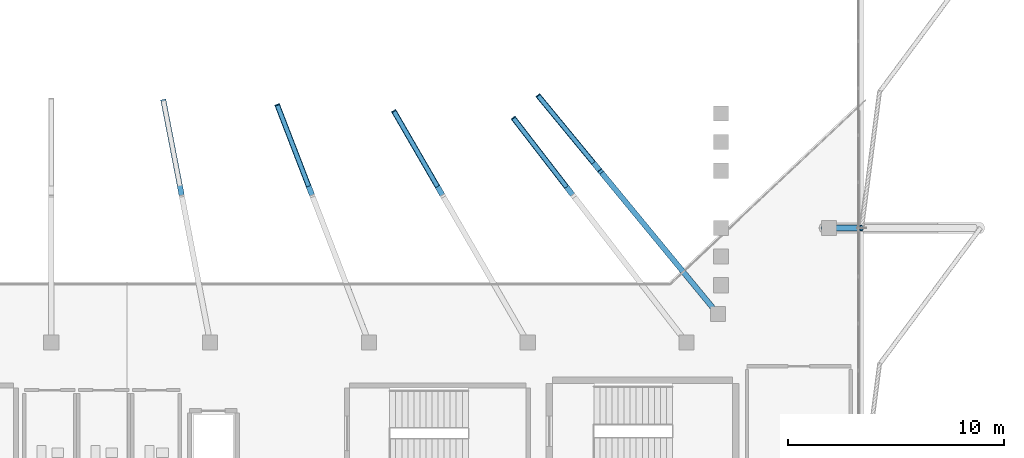
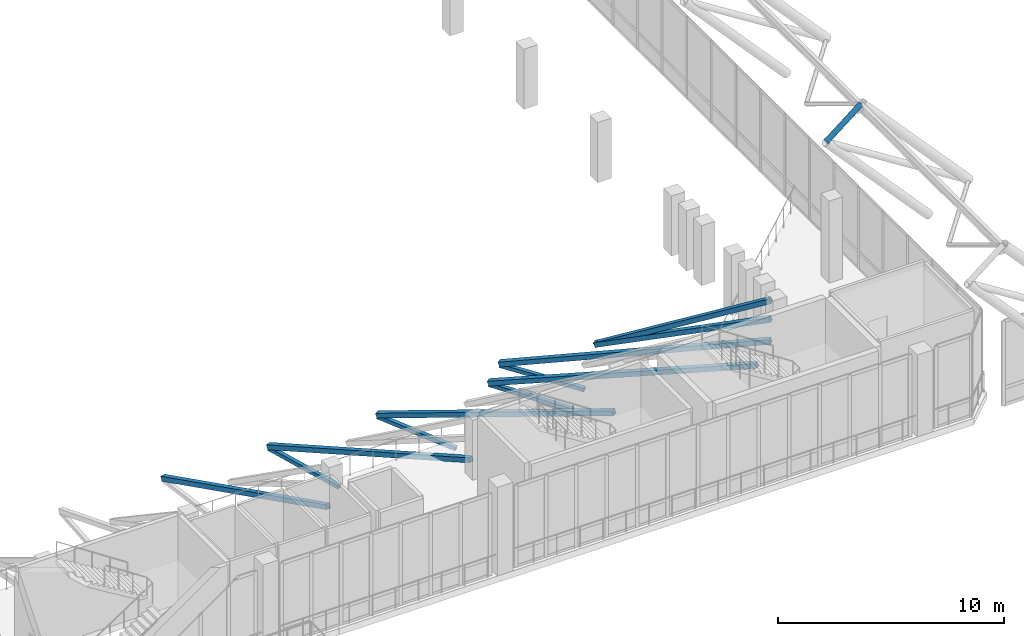
# One storey, part 18 of 79: 12 members.
"""IFC4 building model written with IfcOpenShell, lengths in metres."""

from ifc_helpers import new_model, si_unit, derived_unit, direction, frame, origin, origin_2d, place, context, subcontext, project, spatial, hollow_rectangle, hollow_circle, extrude, material, material_profile, profile_set, type_object, element, save


model = new_model("IFC4")

# Units and contexts
model_context = context("Model", 3, precision=1e-05, world=origin(), true_north=direction((0.0, 1.0)))
body_context = subcontext(model_context, "Body", "Model", "MODEL_VIEW")
ifc_project = project(units=[si_unit("LENGTHUNIT", "METRE"), si_unit("AREAUNIT", "SQUARE_METRE"), si_unit("VOLUMEUNIT", "CUBIC_METRE"), si_unit("PLANEANGLEUNIT", "RADIAN"), si_unit("MASSUNIT", "GRAM", prefix="KILO"), derived_unit("THERMALTRANSMITTANCEUNIT", [(si_unit("MASSUNIT", "GRAM", prefix="KILO"), 1), (si_unit("TIMEUNIT", "SECOND"), -3), (si_unit("THERMODYNAMICTEMPERATUREUNIT", "KELVIN"), -1)])], contexts=[model_context])

# Site, building, storey
site_placement = place(None, origin())
site = spatial("IfcSite", under=ifc_project, at=site_placement, CompositionType="ELEMENT")
building_placement = place(site_placement, origin())
building = spatial("IfcBuilding", under=site, at=building_placement, Name="Valcora Ridge Arena", CompositionType="ELEMENT")
storey_placement = place(building_placement, frame((0.0, 0.0, 16.199951171875)))
storey = spatial("IfcBuildingStorey", under=building, at=storey_placement, Name="L03", CompositionType="ELEMENT", Elevation=16.199951171875)

# Members
ifc_material = material(Name="Steel ASTM A500 Grade C", Category="steel")
ifc_material_profile_1 = material_profile(ifc_material, hollow_rectangle(XDim=0.25, YDim=0.25, WallThickness=0.012451171875, at=origin_2d()), Name="HSS250X250X12")
ifc_profile_set_1 = profile_set([ifc_material_profile_1], Name="Steel ASTM A500 Grade C")
member_type_1 = type_object("IfcMemberType", Name="TY-MEMBER-RKRUC-250", PredefinedType="CHORD", material=ifc_profile_set_1)
member_1_placement = place(storey_placement, frame((63.189208984375, 38.5048828125, -3.654541015625), z_axis=(0.176386064214, -0.914686567502, 0.363643286179), x_axis=(0.981909805174, 0.189349239512, 0.0)))
element("IfcMember", 1, at=member_1_placement, inside=storey, type_object=member_type_1, Name="RKRUC-250 MBR-RK-RKRUC-250-0006", PredefinedType="CHORD", context=body_context, shape_type="SweptSolid", body=[
    extrude(hollow_rectangle(XDim=0.25, YDim=0.25, WallThickness=0.012451171875, at=origin_2d()), origin(), (0.0, 0.0, 1.0), 11.969970703125),
])
member_2_placement = place(storey_placement, frame((68.459228515625, 38.294921875, -3.65625), z_axis=(0.336599744452, -0.872693897032, 0.353703228876), x_axis=(0.93300552031, 0.359862055615, 0.0)))
element("IfcMember", 2, at=member_2_placement, inside=storey, type_object=member_type_1, Name="RKRUC-250 MBR-RK-RKRUC-250-0007", PredefinedType="CHORD", context=body_context, shape_type="SweptSolid", body=[
    extrude(hollow_rectangle(XDim=0.25, YDim=0.25, WallThickness=0.012451171875, at=origin_2d()), origin(), (0.0, 0.0, 1.0), 12.31884765625),
])
member_3_placement = place(storey_placement, frame((73.856201171875, 38.005126953125, -3.658935546875), z_axis=(0.471126459717, -0.814253761268, 0.339161718382), x_axis=(0.865556981628, 0.500810454719, 0.0)))
element("IfcMember", 3, at=member_3_placement, inside=storey, type_object=member_type_1, Name="RKRUC-250 MBR-RK-RKRUC-250-0008", PredefinedType="CHORD", context=body_context, shape_type="SweptSolid", body=[
    extrude(hollow_rectangle(XDim=0.25, YDim=0.25, WallThickness=0.012451171875, at=origin_2d()), origin(), (0.0, 0.0, 1.0), 12.866943359375),
])
member_4_placement = place(storey_placement, frame((79.385986328125, 37.6884765625, -3.661865234375), z_axis=(0.578281690327, -0.749615756216, 0.321972832184), x_axis=(0.791778844061, 0.610807876585, 0.0)))
element("IfcMember", 4, at=member_4_placement, inside=storey, type_object=member_type_1, Name="RKRUC-250 MBR-RK-RKRUC-250-0009", PredefinedType="CHORD", context=body_context, shape_type="SweptSolid", body=[
    extrude(hollow_rectangle(XDim=0.25, YDim=0.25, WallThickness=0.012451171875, at=origin_2d()), origin(), (0.0, 0.0, 1.0), 13.578125),
])
member_5_placement = place(storey_placement, frame((80.529296875, 38.728515625, -3.661865234375), z_axis=(0.601706857874, -0.730640180269, 0.322666676562), x_axis=(0.771928586933, 0.635709254829, 0.0)))
element("IfcMember", 5, at=member_5_placement, inside=storey, type_object=member_type_1, Name="RKRUC-250 MBR-RK-RKRUC-250-0010", PredefinedType="CHORD", context=body_context, shape_type="SweptSolid", body=[
    extrude(hollow_rectangle(XDim=0.25, YDim=0.25, WallThickness=0.012451171875, at=origin_2d()), origin(), (0.0, 0.0, 1.0), 13.54833984375),
])
ifc_material_profile_2 = material_profile(ifc_material, hollow_rectangle(XDim=0.25, YDim=0.25, WallThickness=0.012451171875, at=origin_2d()), Name="HSS250X250X12")
ifc_profile_set_2 = profile_set([ifc_material_profile_2], Name="Steel ASTM A500 Grade C")
member_type_2 = type_object("IfcMemberType", Name="TY-MEMBER-RKRUC-251", PredefinedType="CHORD", material=ifc_profile_set_2)
member_6_placement = place(storey_placement, frame((83.406982421875, 35.234375, -1.51806640625), z_axis=(0.560885395954, -0.681056620406, 0.470711644647), x_axis=(0.771921760299, 0.635717544179, 0.0)))
element("IfcMember", 6, at=member_6_placement, inside=storey, type_object=member_type_2, Name="RKRUC-251 MBR-RK-RKRUC-251-0010", PredefinedType="CHORD", context=body_context, shape_type="SweptSolid", body=[
    extrude(hollow_rectangle(XDim=0.25, YDim=0.25, WallThickness=0.012451171875, at=origin_2d()), origin(), (0.0, 0.0, 1.0), 9.424560546875),
])
ifc_material_profile_3 = material_profile(ifc_material, hollow_rectangle(XDim=0.25, YDim=0.25, WallThickness=0.012451171875, at=origin_2d()), Name="HSS250X250X12")
ifc_profile_set_3 = profile_set([ifc_material_profile_3], Name="Steel ASTM A500 Grade C")
member_type_3 = type_object("IfcMemberType", Name="TY-MEMBER-RKRUT-250", PredefinedType="BRACE", material=ifc_profile_set_3)
member_7_placement = place(storey_placement, frame((83.414794921875, 35.224853515625, -1.494140625), z_axis=(0.588475354708, -0.714549957058, 0.378305585169), x_axis=(0.771918334879, 0.635721703482, 0.0)))
element("IfcMember", 7, at=member_7_placement, inside=storey, type_object=member_type_3, Name="RKRUT-250 Raker Tie Brace", PredefinedType="BRACE", context=body_context, shape_type="SweptSolid", body=[
    extrude(hollow_rectangle(XDim=0.25, YDim=0.25, WallThickness=0.012451171875, at=origin_2d()), origin(), (0.0, 0.0, 1.0), 8.956298828125),
])
ifc_material_profile_4 = material_profile(ifc_material, hollow_rectangle(XDim=0.199951171875, YDim=0.199951171875, WallThickness=0.012451171875, at=origin_2d()), Name="HSS200X200X12")
ifc_profile_set_4 = profile_set([ifc_material_profile_4], Name="Steel ASTM A500 Grade C")
member_type_4 = type_object("IfcMemberType", Name="TY-MEMBER-RKRUW-200", PredefinedType="STRUT", material=ifc_profile_set_4)
for number, where, z_axis, x_axis, name in (
    (8, (68.463134765625, 38.28466796875, -3.7353515625), (0.35854704667, -0.929627054372, -0.085073821491), (0.933009539695, 0.35985163448, 0.0), "RKRUW-200 Raker Web Strut"),
    (9, (73.861328125, 37.99658203125, -3.7353515625), (0.498976063093, -0.862430009159, -0.085072720442), (0.865567913668, 0.50079156026, 0.0), "RKRUW-200 Raker Web Strut"),
    (10, (79.391357421875, 37.681396484375, -3.7353515625), (0.608616217941, -0.788890803568, -0.085074081276), (0.791761232024, 0.610830706059, 0.0), "RKRUW-200 Raker Web Strut"),
):
    element("IfcMember", number, at=place(storey_placement, frame(where, z_axis=z_axis, x_axis=x_axis)), inside=storey, type_object=member_type_4, Name=name, PredefinedType="STRUT", context=body_context, shape_type="SweptSolid", body=[
        extrude(hollow_rectangle(XDim=0.199951171875, YDim=0.199951171875, WallThickness=0.012451171875, at=origin_2d()), origin(), (0.0, 0.0, 1.0), 4.0263671875),
    ])
member_8_placement = place(storey_placement, frame((80.53515625, 38.7216796875, -3.7353515625), z_axis=(0.633379030858, -0.76915075418, -0.085077145074), x_axis=(0.771949559912, 0.635683786919, 0.0)))
element("IfcMember", 11, at=member_8_placement, inside=storey, type_object=member_type_4, Name="RKRUW-200 Raker Web Strut", PredefinedType="STRUT", context=body_context, shape_type="SweptSolid", body=[
    extrude(hollow_rectangle(XDim=0.199951171875, YDim=0.199951171875, WallThickness=0.012451171875, at=origin_2d()), origin(), (0.0, 0.0, 1.0), 4.026123046875),
])
ifc_material_profile_5 = material_profile(ifc_material, hollow_circle(Radius=0.136474609375, WallThickness=0.012451171875, at=origin_2d()), Name="CHS273X12")
ifc_profile_set_5 = profile_set([ifc_material_profile_5], Name="Steel ASTM A500 Grade C")
member_type_5 = type_object("IfcMemberType", Name="TY-MEMBER-SFKP-273", PredefinedType="POST", material=ifc_profile_set_5)
member_9_placement = place(storey_placement, frame((93.705322265625, 32.60009765625, 7.423095703125), z_axis=(0.78184324525, 0.0, 0.623475051511), x_axis=(0.0, 1.0, 0.0)))
element("IfcMember", 12, at=member_9_placement, inside=storey, type_object=member_type_5, Name="SFKP-273 Space Frame King Post", PredefinedType="POST", context=body_context, shape_type="SweptSolid", body=[
    extrude(hollow_circle(Radius=0.136474609375, WallThickness=0.012451171875, at=origin_2d()), origin(), (0.0, 0.0, 1.0), 2.29541015625),
])

save(model, "model.ifc")
